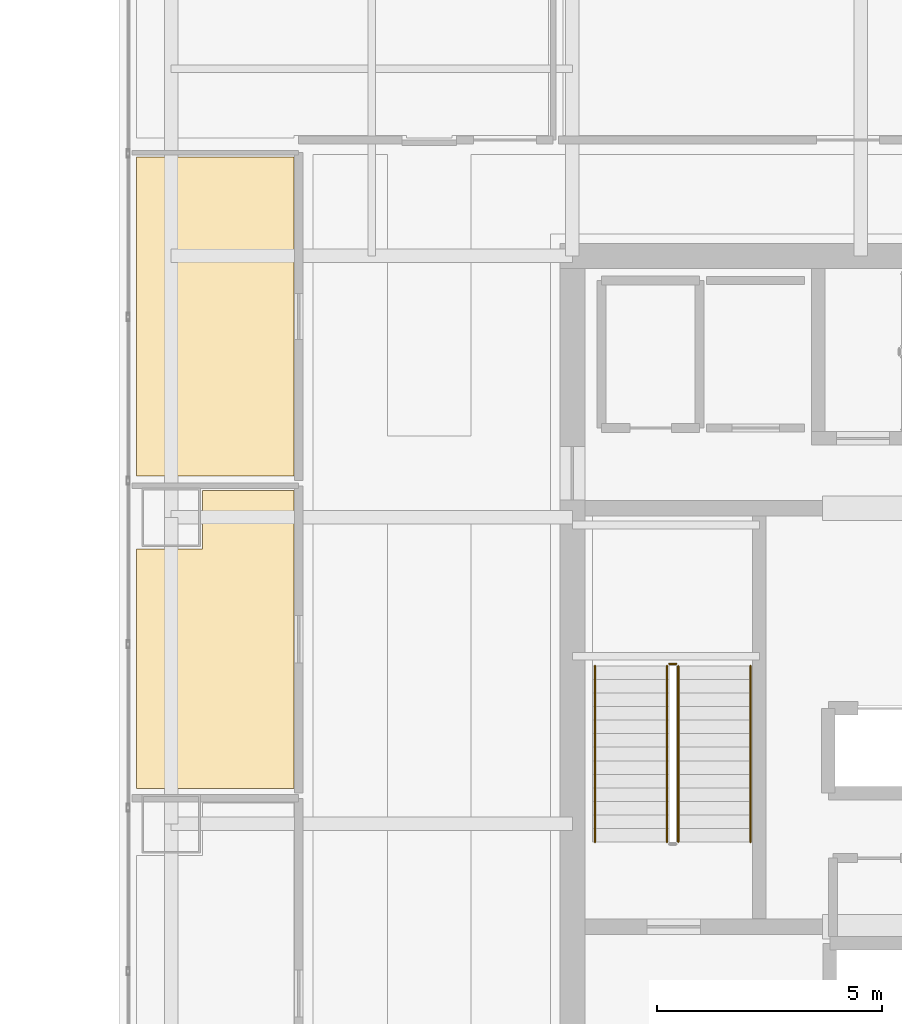
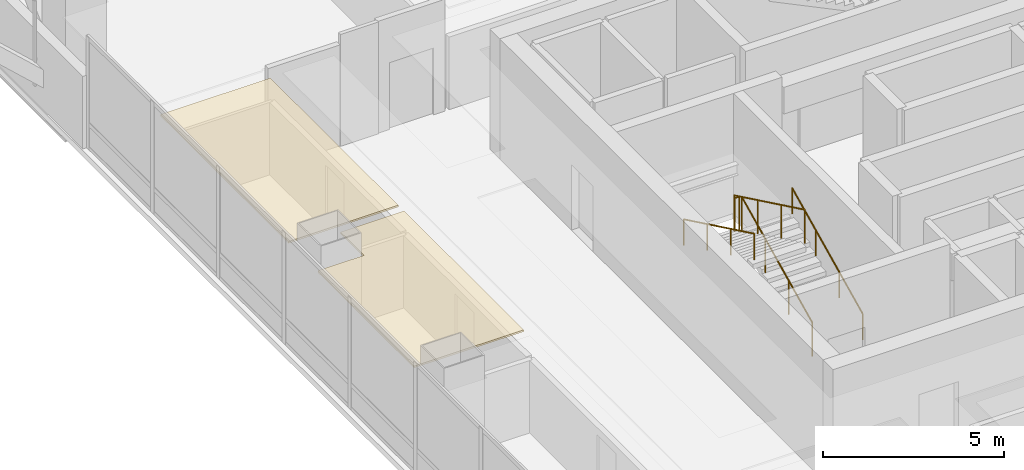
# One storey, part 43 of 51: 5 railings, 2 coverings.
"""IFC4 building model written with IfcOpenShell, lengths in metres."""

from ifc_helpers import new_model, si_unit, direction, frame, origin, origin_2d, place, context, subcontext, project, spatial, polyline, circle, outline, extrude, material, layer, layer_set, type_object, element, save


model = new_model("IFC4")

# Units and contexts
model_context = context("Model", 3, precision=1e-05, world=origin(), true_north=direction((0.0, 1.0)))
body_context = subcontext(model_context, "Body", "Model", "MODEL_VIEW")
ifc_project = project(units=[si_unit("LENGTHUNIT", "METRE"), si_unit("AREAUNIT", "SQUARE_METRE"), si_unit("VOLUMEUNIT", "CUBIC_METRE"), si_unit("PLANEANGLEUNIT", "RADIAN"), si_unit("MASSUNIT", "GRAM", prefix="KILO")], contexts=[model_context])

# Site, building, storey
site_placement = place(None, origin())
site = spatial("IfcSite", under=ifc_project, at=site_placement, CompositionType="ELEMENT")
building_placement = place(site_placement, origin())
building = spatial("IfcBuilding", under=site, at=building_placement, Name="Punatoya Terracotta Tower", CompositionType="ELEMENT")
storey_placement = place(building_placement, frame((0.0, 0.0, 279.75)))
storey = spatial("IfcBuildingStorey", under=building, at=storey_placement, Name="L66", CompositionType="ELEMENT", Elevation=279.75)

# Coverings
ifc_material_1 = material(Name="Acoustic Mineral Fibre Ceiling")
ifc_layer = layer(ifc_material_1, 0.06005859375)
ifc_layer_set = layer_set([ifc_layer], Name="Acoustic Mineral Fibre Ceiling")
covering_type = type_object("IfcCoveringType", Name="COV-CEIL-60", PredefinedType="CEILING", material=ifc_layer_set)
covering_1_placement = place(storey_placement, frame((0.0, 0.0, 3.239990234375)))
element("IfcCovering", 1, at=covering_1_placement, inside=storey, type_object=covering_type, Name="L66 Open-Plan Delegate Reception Lounge Acoustic Ceiling", PredefinedType="CEILING", context=body_context, shape_type="SweptSolid", body=[
    extrude(outline(polyline([(-19.8701171875, 2.699951171875), (-19.8701171875, -2.612060546875), (-16.3701171875, -2.612060546875), (-16.3701171875, 3.998046875), (-18.39990234375, 3.998046875), (-18.39990234375, 2.699951171875), (-19.8701171875, 2.699951171875)])), origin(), (0.0, 0.0, 1.0), 0.06005859375),
])
covering_2_placement = place(storey_placement, frame((0.0, 0.0, 3.239990234375)))
element("IfcCovering", 2, at=covering_2_placement, inside=storey, type_object=covering_type, Name="L66 Case-Study Classroom Acoustic Ceiling", PredefinedType="CEILING", context=body_context, shape_type="SweptSolid", body=[
    extrude(outline(polyline([(-19.8701171875, 11.389892578125), (-19.8701171875, 4.318115234375), (-16.3701171875, 4.318115234375), (-16.3701171875, 11.389892578125), (-19.8701171875, 11.389892578125)])), origin(), (0.0, 0.0, 1.0), 0.06005859375),
])

# Railings
ifc_material_2 = material(Name="Steel S355", Category="steel")
railing_type_1 = type_object("IfcRailingType", Name="RLG-GRD-1150", PredefinedType="GUARDRAIL", material=ifc_material_2)
railing_1_placement = place(storey_placement, frame((-7.85009765625, -3.800048828125, 0.14453125)))
element("IfcRailing", 3, at=railing_1_placement, inside=storey, type_object=railing_type_1, Name="L66 ST-1 stair guard 1", PredefinedType="GUARDRAIL", context=body_context, shape_type="SweptSolid", body=[
    extrude(circle(Radius=0.02392578125, at=origin_2d()), frame((0.0, 0.0, 1.1259765625), z_axis=(0.0, 0.900773802044, 0.434288564841), x_axis=(-1.0, 0.0, 0.0)), (0.0, 0.0, 1.0), 4.329833984375),
    extrude(circle(Radius=0.02099609375, at=origin_2d()), origin(), (0.0, 0.0, 1.0), 1.101806640625),
    extrude(circle(Radius=0.02099609375, at=origin_2d()), frame((0.0, 1.300048828125, 0.626708984375)), (0.0, 0.0, 1.0), 1.101806640625),
    extrude(circle(Radius=0.02099609375, at=origin_2d()), frame((0.0, 2.60009765625, 1.253662109375)), (0.0, 0.0, 1.0), 1.101806640625),
    extrude(circle(Radius=0.02099609375, at=origin_2d()), frame((0.0, 3.900146484375, 1.88037109375)), (0.0, 0.0, 1.0), 1.101806640625),
])
railing_2_placement = place(storey_placement, frame((-7.89990234375, 0.14990234375, 2.02490234375)))
element("IfcRailing", 4, at=railing_2_placement, inside=storey, type_object=railing_type_1, Name="L66 ST-1 stair guard 2", PredefinedType="GUARDRAIL", context=body_context, shape_type="SweptSolid", body=[
    extrude(circle(Radius=0.02392578125, at=origin_2d()), frame((0.0, 0.0, 1.1259765625), z_axis=(-1.0, 0.0, 0.0), x_axis=(0.0, -1.0, 0.0)), (0.0, 0.0, 1.0), 0.150146484375),
    extrude(circle(Radius=0.02099609375, at=origin_2d()), origin(), (0.0, 0.0, 1.0), 1.101806640625),
    extrude(circle(Radius=0.02099609375, at=origin_2d()), frame((-0.150146484375, 0.0, 0.0)), (0.0, 0.0, 1.0), 1.101806640625),
])
railing_3_placement = place(storey_placement, frame((-8.10009765625, 0.10009765625, 2.169677734375)))
element("IfcRailing", 5, at=railing_3_placement, inside=storey, type_object=railing_type_1, Name="L66 ST-1 stair guard 3", PredefinedType="GUARDRAIL", context=body_context, shape_type="SweptSolid", body=[
    extrude(circle(Radius=0.02392578125, at=origin_2d()), frame((0.0, 0.0, 1.1259765625), z_axis=(0.0, -0.900773802044, 0.434288564841), x_axis=(1.0, 0.0, 0.0)), (0.0, 0.0, 1.0), 4.329833984375),
    extrude(circle(Radius=0.02099609375, at=origin_2d()), origin(), (0.0, 0.0, 1.0), 1.101806640625),
    extrude(circle(Radius=0.02099609375, at=origin_2d()), frame((0.0, -1.300048828125, 0.626708984375)), (0.0, 0.0, 1.0), 1.101806640625),
    extrude(circle(Radius=0.02099609375, at=origin_2d()), frame((0.0, -2.60009765625, 1.253662109375)), (0.0, 0.0, 1.0), 1.101806640625),
    extrude(circle(Radius=0.02099609375, at=origin_2d()), frame((0.0, -3.900146484375, 1.88037109375)), (0.0, 0.0, 1.0), 1.101806640625),
])
railing_type_2 = type_object("IfcRailingType", Name="RLG-HND-900", PredefinedType="HANDRAIL", material=ifc_material_2)
railing_4_placement = place(storey_placement, frame((-6.25, -3.800048828125, 0.14453125)))
element("IfcRailing", 6, at=railing_4_placement, inside=storey, type_object=railing_type_2, Name="L66 ST-1 stair handrail 1", PredefinedType="HANDRAIL", context=body_context, shape_type="SweptSolid", body=[
    extrude(circle(Radius=0.02392578125, at=origin_2d()), frame((0.0, 0.0, 0.8759765625), z_axis=(0.0, 0.900773802044, 0.434288564841), x_axis=(-1.0, 0.0, 0.0)), (0.0, 0.0, 1.0), 4.329833984375),
    extrude(circle(Radius=0.02099609375, at=origin_2d()), origin(), (0.0, 0.0, 1.0), 0.851806640625),
    extrude(circle(Radius=0.02099609375, at=origin_2d()), frame((0.0, 1.300048828125, 0.626708984375)), (0.0, 0.0, 1.0), 0.851806640625),
    extrude(circle(Radius=0.02099609375, at=origin_2d()), frame((0.0, 2.60009765625, 1.253662109375)), (0.0, 0.0, 1.0), 0.851806640625),
    extrude(circle(Radius=0.02099609375, at=origin_2d()), frame((0.0, 3.900146484375, 1.88037109375)), (0.0, 0.0, 1.0), 0.851806640625),
])
railing_5_placement = place(storey_placement, frame((-9.699951171875, 0.10009765625, 2.169677734375)))
element("IfcRailing", 7, at=railing_5_placement, inside=storey, type_object=railing_type_2, Name="L66 ST-1 stair handrail 2", PredefinedType="HANDRAIL", context=body_context, shape_type="SweptSolid", body=[
    extrude(circle(Radius=0.02392578125, at=origin_2d()), frame((0.0, 0.0, 0.8759765625), z_axis=(0.0, -0.900773802044, 0.434288564841), x_axis=(1.0, 0.0, 0.0)), (0.0, 0.0, 1.0), 4.329833984375),
    extrude(circle(Radius=0.02099609375, at=origin_2d()), origin(), (0.0, 0.0, 1.0), 0.851806640625),
    extrude(circle(Radius=0.02099609375, at=origin_2d()), frame((0.0, -1.300048828125, 0.626708984375)), (0.0, 0.0, 1.0), 0.851806640625),
    extrude(circle(Radius=0.02099609375, at=origin_2d()), frame((0.0, -2.60009765625, 1.253662109375)), (0.0, 0.0, 1.0), 0.851806640625),
    extrude(circle(Radius=0.02099609375, at=origin_2d()), frame((0.0, -3.900146484375, 1.88037109375)), (0.0, 0.0, 1.0), 0.851806640625),
])

save(model, "model.ifc")
